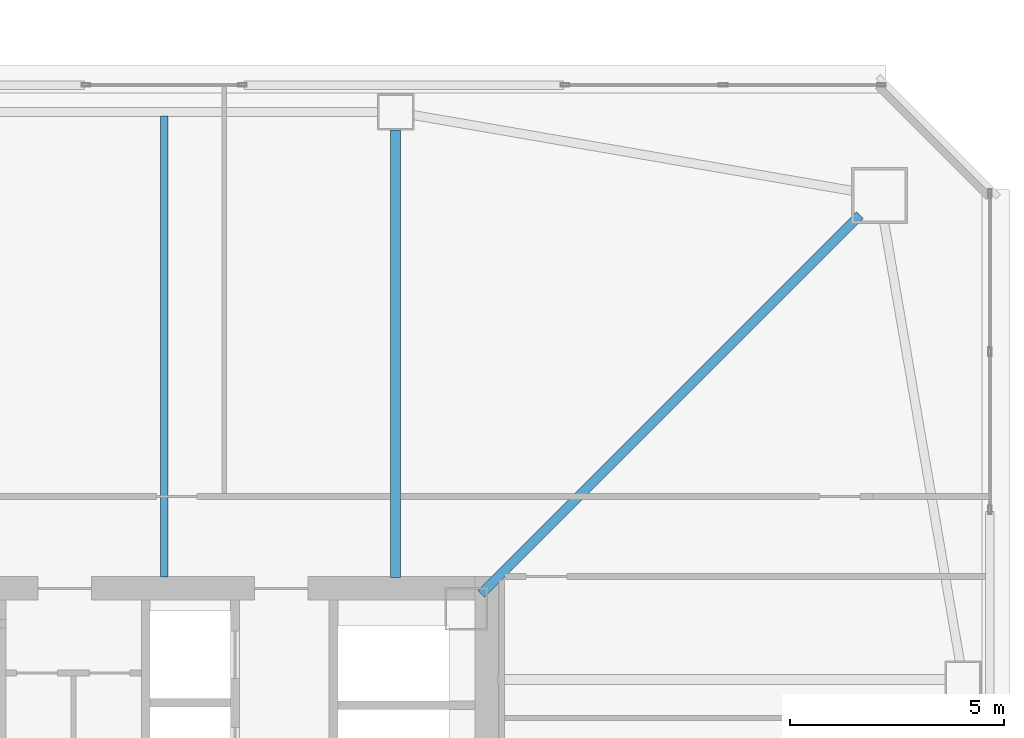
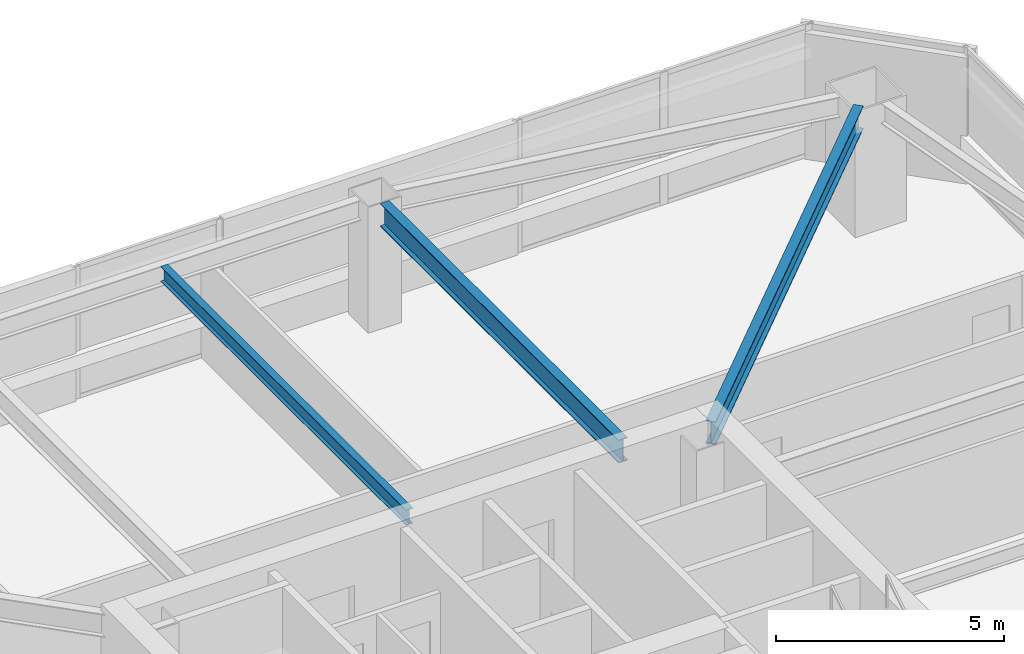
# One storey, part 15 of 48: 3 beams.
"""IFC4 building model written with IfcOpenShell, lengths in metres."""

from ifc_helpers import new_model, si_unit, direction, frame, origin, origin_2d, place, context, subcontext, project, spatial, i_section, extrude, material, material_profile, profile_set, type_object, element, save


model = new_model("IFC4")

# Units and contexts
model_context = context("Model", 3, precision=1e-05, world=origin(), true_north=direction((0.0, 1.0)))
body_context = subcontext(model_context, "Body", "Model", "MODEL_VIEW")
ifc_project = project(units=[si_unit("LENGTHUNIT", "METRE"), si_unit("AREAUNIT", "SQUARE_METRE"), si_unit("VOLUMEUNIT", "CUBIC_METRE"), si_unit("PLANEANGLEUNIT", "RADIAN"), si_unit("MASSUNIT", "GRAM", prefix="KILO")], contexts=[model_context])

# Site, building, storey
site_placement = place(None, origin())
site = spatial("IfcSite", under=ifc_project, at=site_placement, CompositionType="ELEMENT")
building_placement = place(site_placement, origin())
building = spatial("IfcBuilding", under=site, at=building_placement, Name="Tashvorn Skyway Center", CompositionType="ELEMENT")
storey_placement = place(building_placement, frame((0.0, 0.0, 125.050048828125)))
storey = spatial("IfcBuildingStorey", under=building, at=storey_placement, Name="L33", CompositionType="ELEMENT", Elevation=125.050048828125)

# Beams
ifc_material = material(Name="Steel ASTM A992 Grade 50", Category="steel")
ifc_material_profile_1 = material_profile(ifc_material, i_section(OverallWidth=0.22998046875, OverallDepth=0.616943359375, WebThickness=0.01318359375, FlangeThickness=0.022216796875, at=origin_2d()), Name="W24X94")
ifc_profile_set_1 = profile_set([ifc_material_profile_1], Name="Steel ASTM A992 Grade 50")
beam_type_1 = type_object("IfcBeamType", Name="BM-BEAM-W24X94", PredefinedType="BEAM", material=ifc_profile_set_1)
beam_1_placement = place(storey_placement, frame((58.243896484375, 48.243896484375, 3.0615234375), z_axis=(-0.707106781187, -0.707106781187, 0.0), x_axis=(0.707106781187, -0.707106781187, 0.0)))
element("IfcBeam", 1, at=beam_1_placement, inside=storey, type_object=beam_type_1, Name="Tower 1 L33 Primary Floor Girder MC-NE", PredefinedType="BEAM", context=body_context, shape_type="SweptSolid", body=[
    extrude(i_section(OverallWidth=0.22998046875, OverallDepth=0.616943359375, WebThickness=0.01318359375, FlangeThickness=0.022216796875, at=origin_2d()), origin(), (0.0, 0.0, 1.0), 12.50732421875),
])
beam_2_placement = place(storey_placement, frame((47.39990234375, 50.22998046875, 3.0615234375), z_axis=(0.0, -1.0, 0.0), x_axis=(1.0, 0.0, 0.0)))
element("IfcBeam", 2, at=beam_2_placement, inside=storey, type_object=beam_type_1, Name="Tower 1 L33 Primary Floor Girder FC-N1", PredefinedType="BEAM", context=body_context, shape_type="SweptSolid", body=[
    extrude(i_section(OverallWidth=0.22998046875, OverallDepth=0.616943359375, WebThickness=0.01318359375, FlangeThickness=0.022216796875, at=origin_2d()), origin(), (0.0, 0.0, 1.0), 10.449951171875),
])
ifc_material_profile_2 = material_profile(ifc_material, i_section(OverallWidth=0.177978515625, OverallDepth=0.406005859375, WebThickness=0.0078125, FlangeThickness=0.0126953125, at=origin_2d()), Name="W16X40")
ifc_profile_set_2 = profile_set([ifc_material_profile_2], Name="Steel ASTM A992 Grade 50")
beam_type_2 = type_object("IfcBeamType", Name="BM-JOIST-W16X40", PredefinedType="JOIST", material=ifc_profile_set_2)
beam_3_placement = place(storey_placement, frame((42.0, 39.7900390625, 3.1669921875), z_axis=(0.0, 1.0, 0.0), x_axis=(-1.0, 0.0, 0.0)))
element("IfcBeam", 3, at=beam_3_placement, inside=storey, type_object=beam_type_2, Name="Tower 1 L33 Secondary Composite Joist JN", PredefinedType="JOIST", context=body_context, shape_type="SweptSolid", body=[
    extrude(i_section(OverallWidth=0.177978515625, OverallDepth=0.406005859375, WebThickness=0.0078125, FlangeThickness=0.0126953125, at=origin_2d()), origin(), (0.0, 0.0, 1.0), 10.762451171875),
])

save(model, "model.ifc")
